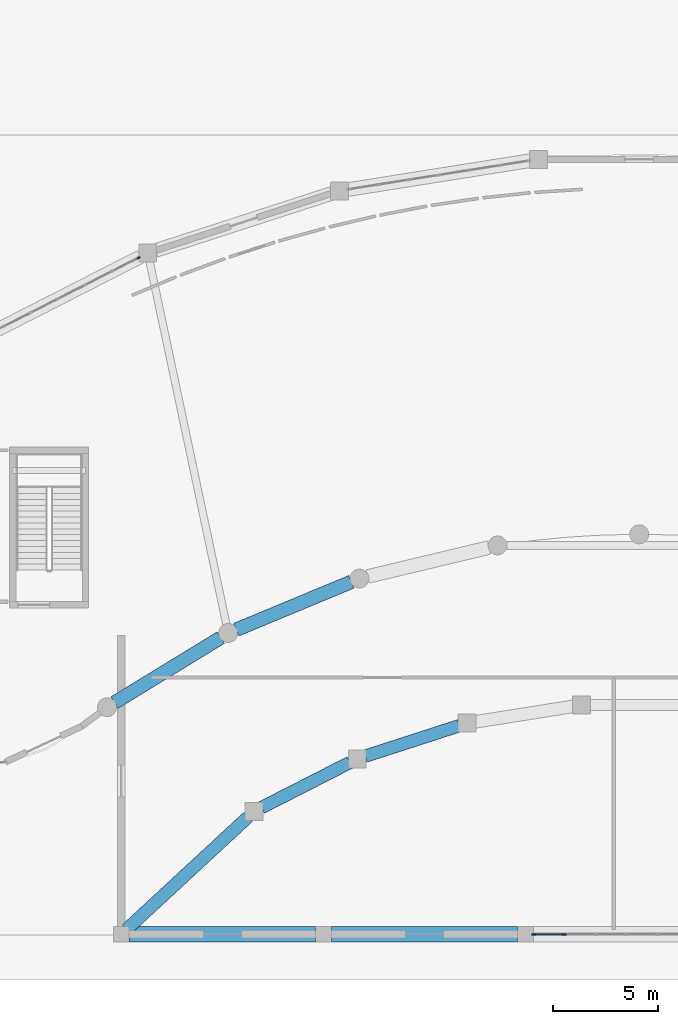
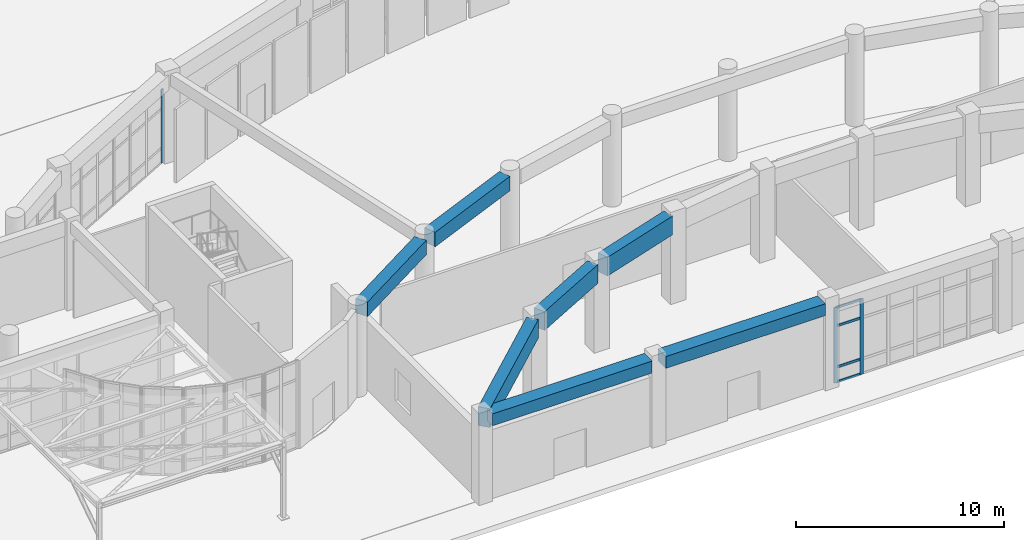
# One storey, part 14 of 70: 7 beams, 7 members, 2 elements without a shape of their own.
"""IFC4 building model written with IfcOpenShell, lengths in metres."""

import ifcopenshell
import ifcopenshell.guid

model = None  # the IFC model being written
_history = None  # IfcOwnerHistory: only IFC2X3 demands one
_inside = {}  # id of a spatial element -> (the spatial element, [elements in it])
_under = {}  # id of a project, library or spatial element -> (it, [spatial elements below it])
_declared = {}  # id of a project -> (the project, [libraries it declares])
_typed = {}  # id of a type object -> (the type object, [elements of that type])
_made_of = {}  # id of a material, layer set ... -> (it, [elements and type objects made of it])


def new_model(schema):
    """Start an empty IFC model of exactly this schema.

    Asked for "IFC4X3", IfcOpenShell would pick the latest addendum, in which some entities
    have other attributes; the version numbers below select the first issue.
    IFC2X3 requires an IfcOwnerHistory on every rooted entity: one is made here for all.
    """
    global model, _history
    if schema == "IFC4X3":
        model = ifcopenshell.file(schema_version=(4, 3, 0, 0))
    else:
        model = ifcopenshell.file(schema=schema)
    _inside.clear()
    _under.clear()
    _declared.clear()
    _typed.clear()
    _made_of.clear()
    _history = None
    if model.schema == "IFC2X3":
        org = make("IfcOrganization", Name="unknown")
        user = make(
            "IfcPersonAndOrganization",
            ThePerson=make("IfcPerson", FamilyName="unknown"),
            TheOrganization=org,
        )
        app = make(
            "IfcApplication",
            ApplicationDeveloper=org,
            Version="unknown",
            ApplicationFullName="unknown",
            ApplicationIdentifier="unknown",
        )
        _history = make(
            "IfcOwnerHistory",
            OwningUser=user,
            OwningApplication=app,
            ChangeAction="ADDED",
            CreationDate=0,
        )
    return model


def make(cls, **values):
    """One entity of the class cls with the attributes given. An attribute that is None is left unset."""
    return model.create_entity(
        cls, **{name: value for name, value in values.items() if value is not None}
    )


def rooted(cls, **values):
    """An entity with a GlobalId (a new one), such as an element, a storey or a relation."""
    return make(cls, GlobalId=ifcopenshell.guid.new(), OwnerHistory=_history, **values)


def si_unit(unit_type, name, prefix=None):
    """IfcSIUnit, for example si_unit("LENGTHUNIT", "METRE", prefix="MILLI")."""
    return make("IfcSIUnit", UnitType=unit_type, Prefix=prefix, Name=name)


def assignment(units):
    """IfcUnitAssignment: the units of a project."""
    return None if units is None else make("IfcUnitAssignment", Units=units)


def point(xyz):
    """IfcCartesianPoint."""
    return None if xyz is None else make("IfcCartesianPoint", Coordinates=xyz)


def direction(xyz):
    """IfcDirection."""
    return None if xyz is None else make("IfcDirection", DirectionRatios=xyz)


def frame(location, z_axis=None, x_axis=None):
    """IfcAxis2Placement3D, a coordinate frame: its origin and axes. An axis left out is left unset."""
    return make(
        "IfcAxis2Placement3D",
        Location=point(location),
        Axis=direction(z_axis),
        RefDirection=direction(x_axis),
    )


def frame_2d(location, x_axis=None):
    """IfcAxis2Placement2D, a coordinate frame in the plane: its origin and x axis."""
    return make(
        "IfcAxis2Placement2D", Location=point(location), RefDirection=direction(x_axis)
    )


def origin():
    """The frame at (0, 0, 0) with its axes left unset."""
    return frame((0.0, 0.0, 0.0))


def origin_2d():
    """The frame at (0, 0) in the plane with its x axis left unset."""
    return frame_2d((0.0, 0.0))


def place(relative_to, where):
    """IfcLocalPlacement: puts the frame where relative to a parent placement (None: the world)."""
    return make(
        "IfcLocalPlacement", PlacementRelTo=relative_to, RelativePlacement=where
    )


def context(
    kind, dimensions, precision=None, world=None, true_north=None, identifier=None
):
    """IfcGeometricRepresentationContext, for example the 3D "Model" context."""
    return make(
        "IfcGeometricRepresentationContext",
        ContextIdentifier=identifier,
        ContextType=kind,
        CoordinateSpaceDimension=dimensions,
        Precision=precision,
        WorldCoordinateSystem=world,
        TrueNorth=true_north,
    )


def subcontext(parent, identifier, kind, view, scale=None):
    """IfcGeometricRepresentationSubContext, for example "Body" below "Model"."""
    return make(
        "IfcGeometricRepresentationSubContext",
        ContextIdentifier=identifier,
        ContextType=kind,
        ParentContext=parent,
        TargetScale=scale,
        TargetView=view,
    )


def project(units=None, contexts=None):
    """IfcProject with its units and contexts."""
    return rooted(
        "IfcProject",
        Name="project",
        RepresentationContexts=contexts,
        UnitsInContext=assignment(units),
    )


def spatial(cls, under=None, at=None, **own):
    """A site, building, storey or space (cls), placed at a placement, below another one or the project."""
    s = rooted(cls, ObjectPlacement=at, **own)
    if under is not None:
        _under.setdefault(under.id(), (under, []))[1].append(s)
    return s


def profile(cls, at=None, kind="AREA", **sizes):
    """A parametric profile (cls). Its sizes go by their IFC names, for example OverallWidth=200.0."""
    return make(cls, ProfileType=kind, Position=at, **sizes)


def rectangle(**sizes):
    """IfcRectangleProfileDef."""
    return profile("IfcRectangleProfileDef", **sizes)


def extrude(swept, where, along, depth):
    """IfcExtrudedAreaSolid: the profile swept, set in the frame where, extruded along a direction by depth."""
    return make(
        "IfcExtrudedAreaSolid",
        SweptArea=swept,
        Position=where,
        ExtrudedDirection=direction(along),
        Depth=depth,
    )


def shape(context_of_items, identifier, shape_type, items):
    """IfcShapeRepresentation: the items that make up one representation, for example the "Body"."""
    return make(
        "IfcShapeRepresentation",
        ContextOfItems=context_of_items,
        RepresentationIdentifier=identifier,
        RepresentationType=shape_type,
        Items=items,
    )


def material(Name=None, Category=None):
    """IfcMaterial."""
    return make("IfcMaterial", Name=Name, Category=Category)


def layer(
    of_material, thickness, ventilated=None, Name=None, Category=None, Priority=None
):
    """IfcMaterialLayer: one layer of a wall or slab, of a material (None: an air gap)."""
    return make(
        "IfcMaterialLayer",
        Material=of_material,
        LayerThickness=thickness,
        IsVentilated=ventilated,
        Name=Name,
        Category=Category,
        Priority=Priority,
    )


def layer_set(layers, Name=None):
    """IfcMaterialLayerSet."""
    return make("IfcMaterialLayerSet", MaterialLayers=layers, LayerSetName=Name)


def material_profile(
    of_material, cross_section, Name=None, Category=None, Priority=None
):
    """IfcMaterialProfile: a cross section and its material."""
    return make(
        "IfcMaterialProfile",
        Name=Name,
        Material=of_material,
        Profile=cross_section,
        Priority=Priority,
        Category=Category,
    )


def profile_set(profiles, Name=None, composite=None):
    """IfcMaterialProfileSet."""
    return make(
        "IfcMaterialProfileSet",
        Name=Name,
        MaterialProfiles=profiles,
        CompositeProfile=composite,
    )


def made_of(thing, what):
    """Note that an element or type object is made of a material, layer set ...; save() writes the relation."""
    if what is not None:
        _made_of.setdefault(what.id(), (what, []))[1].append(thing)
    return thing


def type_object(cls, material=None, **own):
    """A type object (cls), such as IfcWallType, which elements share."""
    return made_of(rooted(cls, **own), material)


def element(
    cls,
    number,
    at=None,
    inside=None,
    cuts=None,
    type_object=None,
    material=None,
    context=None,
    identifier="Body",
    shape_type=None,
    held_by="IfcProductDefinitionShape",
    body=None,
    shapes=None,
    **own,
):
    """One element of the class cls, such as IfcWall. Its Tag is "e" and its number.

    at: its placement. inside: the storey or other place that contains it. cuts: it is an
    opening in that element (IfcRelVoidsElement). A single representation is given by context,
    identifier, shape_type and body (its items); several are given by shapes. held_by: the class
    of the entity that holds the representations. save() writes the other relations.
    """
    e = rooted(cls, Tag="e%d" % number, ObjectPlacement=at, **own)
    if body is not None:
        shapes = [shape(context, identifier, shape_type, body)]
    if shapes is not None:
        e.Representation = make(held_by, Representations=shapes)
    if inside is not None:
        _inside.setdefault(inside.id(), (inside, []))[1].append(e)
    if cuts is not None:
        rooted(
            "IfcRelVoidsElement", RelatingBuildingElement=cuts, RelatedOpeningElement=e
        )
    if type_object is not None:
        _typed.setdefault(type_object.id(), (type_object, []))[1].append(e)
    return made_of(e, material)


def aggregate(whole, parts):
    """IfcRelAggregates: a whole, such as a stair, and the parts it consists of."""
    return rooted("IfcRelAggregates", RelatingObject=whole, RelatedObjects=parts)


def save(model, path):
    """Write the relations noted so far, then the file.

    IfcRelAggregates (storeys below a building ...), IfcRelContainedInSpatialStructure (elements
    in a storey), IfcRelDefinesByType, IfcRelAssociatesMaterial and IfcRelDeclares: one each for
    every whole, place, type object, material and project.
    """
    for whole, parts in _under.values():
        aggregate(whole, parts)
    for where, things in _inside.values():
        rooted(
            "IfcRelContainedInSpatialStructure",
            RelatedElements=things,
            RelatingStructure=where,
        )
    for kind, things in _typed.values():
        rooted("IfcRelDefinesByType", RelatedObjects=things, RelatingType=kind)
    for what, things in _made_of.values():
        rooted("IfcRelAssociatesMaterial", RelatedObjects=things, RelatingMaterial=what)
    for by, libraries in _declared.values():
        rooted("IfcRelDeclares", RelatingContext=by, RelatedDefinitions=libraries)
    model.write(path)


model = new_model("IFC4")

# Units and contexts
model_context = context("Model", 3, precision=1e-05, world=origin(), true_north=direction((0.0, 1.0)))
body_context = subcontext(model_context, "Body", "Model", "MODEL_VIEW")
ifc_project = project(units=[si_unit("LENGTHUNIT", "METRE"), si_unit("AREAUNIT", "SQUARE_METRE"), si_unit("VOLUMEUNIT", "CUBIC_METRE"), si_unit("PLANEANGLEUNIT", "RADIAN"), si_unit("MASSUNIT", "GRAM", prefix="KILO")], contexts=[model_context])

# Site, building, storey
site_placement = place(None, origin())
site = spatial("IfcSite", under=ifc_project, at=site_placement, CompositionType="ELEMENT")
building_placement = place(site_placement, origin())
building = spatial("IfcBuilding", under=site, at=building_placement, Name="Miralva Faculty of Natural Sciences", CompositionType="ELEMENT")
storey_placement = place(building_placement, origin())
storey = spatial("IfcBuildingStorey", under=building, at=storey_placement, Name="L00", CompositionType="ELEMENT", Elevation=0.0)

# Beams
ifc_material_1 = material(Name="Concrete C40/50", Category="concrete")
ifc_material_profile_1 = material_profile(ifc_material_1, rectangle(XDim=0.75, YDim=0.699951171875, at=origin_2d()), Name="RC 750x700")
ifc_profile_set_1 = profile_set([ifc_material_profile_1], Name="Concrete C40/50")
beam_type_1 = type_object("IfcBeamType", Name="BM-SP01", PredefinedType="SPANDREL", material=ifc_profile_set_1)
for number, where, z_axis, x_axis, name in (
    (1, (65.77490234375, 3.0, 4.77001953125), (1.0, 0.0, 0.0), (0.0, 1.0, 0.0), "Girder EW L00-6"),
    (2, (75.375, 3.0, 4.77001953125), (1.0, 0.0, 0.0), (0.0, 1.0, 0.0), "Girder EW L00-7"),
):
    element("IfcBeam", number, at=place(storey_placement, frame(where, z_axis=z_axis, x_axis=x_axis)), inside=storey, type_object=beam_type_1, Name=name, PredefinedType="SPANDREL", context=body_context, shape_type="SweptSolid", body=[
        extrude(rectangle(XDim=0.75, YDim=0.699951171875, at=origin_2d()), origin(), (0.0, 0.0, 1.0), 8.85009765625),
    ])
ifc_material_profile_2 = material_profile(ifc_material_1, rectangle(XDim=0.64990234375, YDim=0.85009765625, at=origin_2d()), Name="RC 650x850")
ifc_profile_set_2 = profile_set([ifc_material_profile_2], Name="Concrete C40/50")
beam_type_2 = type_object("IfcBeamType", Name="BM-SP03", PredefinedType="SPANDREL", material=ifc_profile_set_2)
beam_1_placement = place(storey_placement, frame((76.32763671875, 19.7412109375, 4.695068359375), z_axis=(-0.923376848941, -0.38389477053, 0.0), x_axis=(0.38389477053, -0.923376848941, 0.0)))
element("IfcBeam", 3, at=beam_1_placement, inside=storey, type_object=beam_type_2, Name="Curved chord girder ARCIN L00-7", PredefinedType="SPANDREL", context=body_context, shape_type="SweptSolid", body=[
    extrude(rectangle(XDim=0.64990234375, YDim=0.85009765625, at=origin_2d()), origin(), (0.0, 0.0, 1.0), 5.9189453125),
])
beam_2_placement = place(storey_placement, frame((70.126953125, 17.09375, 4.695068359375), z_axis=(-0.852887694262, -0.522094417683, 0.0), x_axis=(0.522094417683, -0.852887694262, 0.0)))
element("IfcBeam", 4, at=beam_2_placement, inside=storey, type_object=beam_type_2, Name="Curved chord girder ARCIN L00-8", PredefinedType="SPANDREL", context=body_context, shape_type="SweptSolid", body=[
    extrude(rectangle(XDim=0.64990234375, YDim=0.85009765625, at=origin_2d()), origin(), (0.0, 0.0, 1.0), 5.9140625),
])
ifc_material_profile_3 = material_profile(ifc_material_1, rectangle(XDim=0.60009765625, YDim=1.10009765625, at=origin_2d()), Name="RC 600x1100")
ifc_profile_set_3 = profile_set([ifc_material_profile_3], Name="Concrete C40/50")
beam_type_3 = type_object("IfcBeamType", Name="BM-TG01", PredefinedType="BEAM", material=ifc_profile_set_3)
beam_3_placement = place(storey_placement, frame((81.4580078125, 12.90966796875, 4.60009765625), z_axis=(-0.951377447545, -0.308027518743, 0.0), x_axis=(0.308027518743, -0.951377447545, 0.0)))
element("IfcBeam", 5, at=beam_3_placement, inside=storey, type_object=beam_type_3, Name="Curved chord girder SHIN L00-6", PredefinedType="BEAM", context=body_context, shape_type="SweptSolid", body=[
    extrude(rectangle(XDim=0.60009765625, YDim=1.10009765625, at=origin_2d()), origin(), (0.0, 0.0, 1.0), 4.704833984375),
])
beam_4_placement = place(storey_placement, frame((76.26171875, 11.162353515625, 4.60009765625), z_axis=(-0.890744771804, -0.454503852024, 0.0), x_axis=(0.454503852024, -0.890744771804, 0.0)))
element("IfcBeam", 6, at=beam_4_placement, inside=storey, type_object=beam_type_3, Name="Curved chord girder SHIN L00-7", PredefinedType="BEAM", context=body_context, shape_type="SweptSolid", body=[
    extrude(rectangle(XDim=0.60009765625, YDim=1.10009765625, at=origin_2d()), origin(), (0.0, 0.0, 1.0), 4.718994140625),
])
beam_5_placement = place(storey_placement, frame((71.423095703125, 8.574462890625, 4.60009765625), z_axis=(-0.733906295868, -0.679250726083, 0.0), x_axis=(0.679250726083, -0.733906295868, 0.0)))
element("IfcBeam", 7, at=beam_5_placement, inside=storey, type_object=beam_type_3, Name="Curved chord girder SHIN L00-8", PredefinedType="BEAM", context=body_context, shape_type="SweptSolid", body=[
    extrude(rectangle(XDim=0.60009765625, YDim=1.10009765625, at=origin_2d()), origin(), (0.0, 0.0, 1.0), 7.86181640625),
])

# Curtain wall, members
ifc_material_2 = material(Name="Laminated solar-control glass", Category="glass")
ifc_layer_1 = layer(ifc_material_2, 0.179931640625, Name="CW-LEC-L00")
ifc_layer_set_1 = layer_set([ifc_layer_1], Name="Laminated solar-control glass")
curtain_wall_type_1 = type_object("IfcCurtainWallType", Name="CW-LEC-L00", PredefinedType="USERDEFINED", material=ifc_layer_set_1)
curtain_wall_1_placement = place(storey_placement, origin())
curtain_wall_1 = element("IfcCurtainWall", 8, at=curtain_wall_1_placement, inside=storey, type_object=curtain_wall_type_1, Name="Curtain wall CW-07 L00-205", ObjectType="UNITISED CURTAIN WALL", PredefinedType="USERDEFINED")
ifc_material_3 = material(Name="Anodised aluminium", Category="aluminium")
ifc_material_profile_4 = material_profile(ifc_material_3, rectangle(XDim=0.06494140625, YDim=0.179931640625, at=origin_2d()), Name="MULLION 65x180")
ifc_profile_set_4 = profile_set([ifc_material_profile_4], Name="Anodised aluminium")
member_type_1 = type_object("IfcMemberType", Name="CW-M01", PredefinedType="MULLION", material=ifc_profile_set_4)
member_1_placement = place(storey_placement, frame((84.99755859375, 3.0, 0.0), z_axis=(0.0, 0.0, 1.0), x_axis=(0.0, 1.0, 0.0)))
member_1 = element("IfcMember", 9, at=member_1_placement, type_object=member_type_1, Name="CW-07 mullion 1", PredefinedType="MULLION", context=body_context, shape_type="SweptSolid", body=[
    extrude(rectangle(XDim=0.06494140625, YDim=0.179931640625, at=origin_2d()), origin(), (0.0, 0.0, 1.0), 4.4150390625),
])
member_2_placement = place(storey_placement, frame((86.443359375, 3.0, 0.0), z_axis=(0.0, 0.0, 1.0), x_axis=(0.0, 1.0, 0.0)))
member_2 = element("IfcMember", 10, at=member_2_placement, type_object=member_type_1, Name="CW-07 mullion 2", PredefinedType="MULLION", context=body_context, shape_type="SweptSolid", body=[
    extrude(rectangle(XDim=0.06494140625, YDim=0.179931640625, at=origin_2d()), origin(), (0.0, 0.0, 1.0), 4.4150390625),
])

# Curtain wall, member
ifc_layer_2 = layer(ifc_material_2, 0.179931640625, Name="CW-ARC-L00")
ifc_layer_set_2 = layer_set([ifc_layer_2], Name="Laminated solar-control glass")
curtain_wall_type_2 = type_object("IfcCurtainWallType", Name="CW-ARC-L00", PredefinedType="USERDEFINED", material=ifc_layer_set_2)
curtain_wall_2_placement = place(storey_placement, origin())
curtain_wall_2 = element("IfcCurtainWall", 11, at=curtain_wall_2_placement, inside=storey, type_object=curtain_wall_type_2, Name="Curtain wall CW-01 L00-4", ObjectType="UNITISED CURTAIN WALL", PredefinedType="USERDEFINED")
ifc_material_profile_5 = material_profile(ifc_material_3, rectangle(XDim=0.06494140625, YDim=0.159912109375, at=origin_2d()), Name="MULLION 65x160")
ifc_profile_set_5 = profile_set([ifc_material_profile_5], Name="Anodised aluminium")
member_type_2 = type_object("IfcMemberType", Name="CW-M02", PredefinedType="MULLION", material=ifc_profile_set_5)
member_3_placement = place(storey_placement, frame((66.213134765625, 35.130859375, 0.0), z_axis=(0.0, 0.0, 1.0), x_axis=(-0.453969065637, 0.891017445084, 0.0)))
member_3 = element("IfcMember", 12, at=member_3_placement, type_object=member_type_2, Name="CW-01 mullion 4", PredefinedType="MULLION", context=body_context, shape_type="SweptSolid", body=[
    extrude(rectangle(XDim=0.06494140625, YDim=0.159912109375, at=origin_2d()), origin(), (0.0, 0.0, 1.0), 4.304931640625),
])
aggregate(curtain_wall_2, [member_3])

# Member
ifc_material_profile_6 = material_profile(ifc_material_3, rectangle(XDim=0.06494140625, YDim=0.139892578125, at=origin_2d()), Name="TRANSOM 65x140")
ifc_profile_set_6 = profile_set([ifc_material_profile_6], Name="Anodised aluminium")
member_type_3 = type_object("IfcMemberType", Name="CW-T01", PredefinedType="USERDEFINED", material=ifc_profile_set_6)
member_4_placement = place(storey_placement, frame((85.030029296875, 3.0, 0.032470703125), z_axis=(1.0, 0.0, 0.0), x_axis=(0.0, 1.0, 0.0)))
member_4 = element("IfcMember", 13, at=member_4_placement, type_object=member_type_3, Name="CW-07 transom 1.1", ObjectType="TRANSOM", PredefinedType="USERDEFINED", context=body_context, shape_type="SweptSolid", body=[
    extrude(rectangle(XDim=0.06494140625, YDim=0.139892578125, at=origin_2d()), origin(), (0.0, 0.0, 1.0), 1.380859375),
])

member_5_placement = place(storey_placement, frame((85.030029296875, 3.0, 0.89990234375), z_axis=(1.0, 0.0, 0.0), x_axis=(0.0, 1.0, 0.0)))
member_5 = element("IfcMember", 14, at=member_5_placement, type_object=member_type_3, Name="CW-07 transom 1.2", ObjectType="TRANSOM", PredefinedType="USERDEFINED", context=body_context, shape_type="SweptSolid", body=[
    extrude(rectangle(XDim=0.06494140625, YDim=0.139892578125, at=origin_2d()), origin(), (0.0, 0.0, 1.0), 1.380859375),
])

member_6_placement = place(storey_placement, frame((85.030029296875, 3.0, 3.31494140625), z_axis=(1.0, 0.0, 0.0), x_axis=(0.0, 1.0, 0.0)))
member_6 = element("IfcMember", 15, at=member_6_placement, type_object=member_type_3, Name="CW-07 transom 1.3", ObjectType="TRANSOM", PredefinedType="USERDEFINED", context=body_context, shape_type="SweptSolid", body=[
    extrude(rectangle(XDim=0.06494140625, YDim=0.139892578125, at=origin_2d()), origin(), (0.0, 0.0, 1.0), 1.380859375),
])

member_7_placement = place(storey_placement, frame((85.030029296875, 3.0, 4.382568359375), z_axis=(1.0, 0.0, 0.0), x_axis=(0.0, 1.0, 0.0)))
member_7 = element("IfcMember", 16, at=member_7_placement, type_object=member_type_3, Name="CW-07 transom 1.4", ObjectType="TRANSOM", PredefinedType="USERDEFINED", context=body_context, shape_type="SweptSolid", body=[
    extrude(rectangle(XDim=0.06494140625, YDim=0.139892578125, at=origin_2d()), origin(), (0.0, 0.0, 1.0), 1.380859375),
])

aggregate(curtain_wall_1, [member_1, member_2, member_4, member_5, member_6, member_7])

save(model, "model.ifc")
